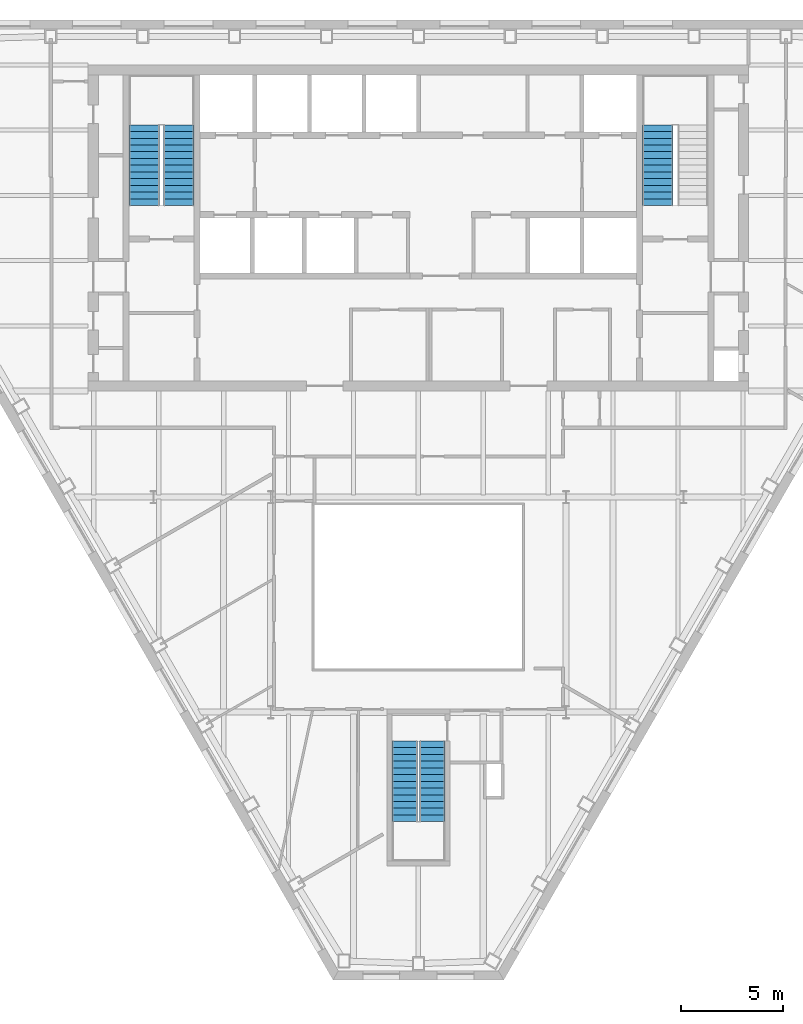
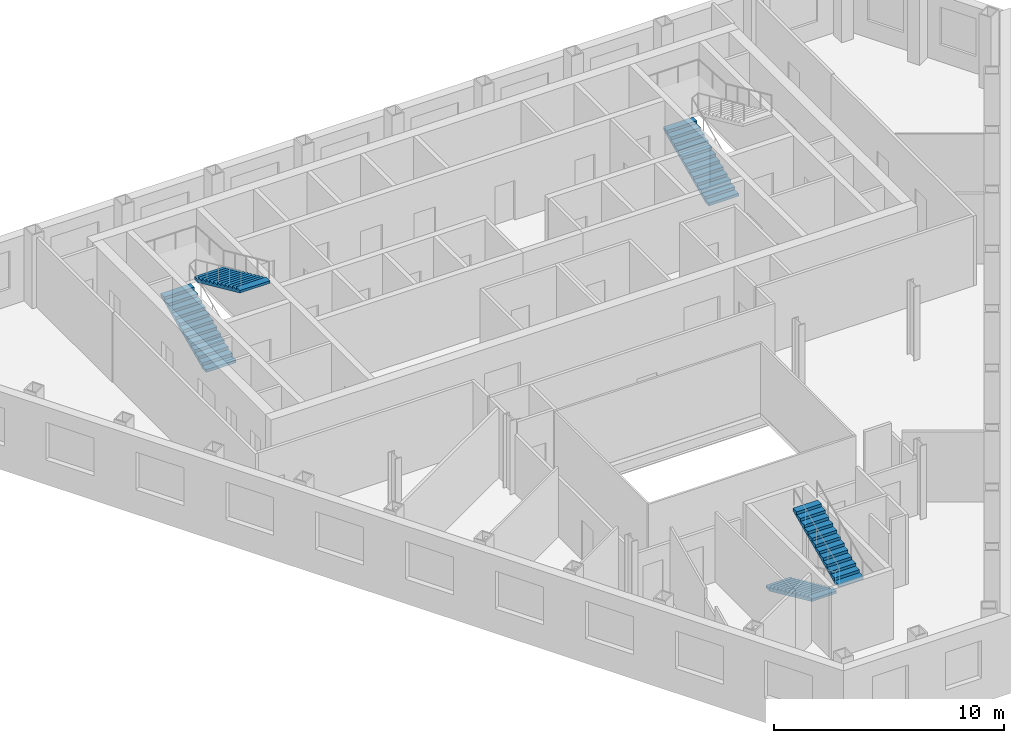
# One storey, part 8 of 10: 5 stair flights, 3 elements without a shape of their own.
"""IFC4 building model written with IfcOpenShell, lengths in metres."""

from ifc_helpers import new_model, si_unit, direction, frame, origin, place, context, subcontext, project, spatial, polygons, material, type_object, element, aggregate, save


model = new_model("IFC4")

# Units and contexts
model_context = context("Model", 3, precision=1e-05, world=origin(), true_north=direction((0.0, 1.0)))
body_context = subcontext(model_context, "Body", "Model", "MODEL_VIEW")
ifc_project = project(units=[si_unit("LENGTHUNIT", "METRE"), si_unit("AREAUNIT", "SQUARE_METRE"), si_unit("VOLUMEUNIT", "CUBIC_METRE"), si_unit("PLANEANGLEUNIT", "RADIAN"), si_unit("MASSUNIT", "GRAM", prefix="KILO")], contexts=[model_context])

# Site, building, storey
site_placement = place(None, origin())
site = spatial("IfcSite", under=ifc_project, at=site_placement, CompositionType="ELEMENT")
building_placement = place(site_placement, origin())
building = spatial("IfcBuilding", under=site, at=building_placement, Name="Njiva Tower", CompositionType="ELEMENT")
storey_placement = place(building_placement, frame((0.0, 0.0, 171.0)))
storey = spatial("IfcBuildingStorey", under=building, at=storey_placement, Name="L37", CompositionType="ELEMENT", Elevation=171.0)

# Stair, stair flights
ifc_material = material(Name="Concrete C40/50", Category="concrete")
stair_type_1 = type_object("IfcStairType", Name="ST1 Exit stair 1250", PredefinedType="HALF_TURN_STAIR", material=ifc_material)
stair_1_placement = place(storey_placement, origin())
stair_1 = element("IfcStair", 1, at=stair_1_placement, inside=storey, type_object=stair_type_1, Name="Stair C", PredefinedType="HALF_TURN_STAIR")
stair_flight_type_1 = type_object("IfcStairFlightType", Name="FL1 Stair flight 1250", PredefinedType="STRAIGHT", material=ifc_material)
stair_flight_1_placement = place(storey_placement, frame((-0.675, -15.16, 0.0), z_axis=(0.0, 0.0, 1.0), x_axis=(0.0, -1.0, 0.0)))
stair_flight_1 = element("IfcStairFlight", 2, at=stair_flight_1_placement, type_object=stair_flight_type_1, Name="ST-C flight 1", NumberOfRisers=13, NumberOfTreads=12, PredefinedType="STRAIGHT", RiserHeight=0.15, TreadLength=0.33, context=body_context, shape_type="Tessellation", body=[
    polygons([(0.0, 0.625, 0.0), (0.0, 0.3125, 0.0), (0.0, 0.0, 0.0), (0.0, -0.3125, 0.0), (0.0, -0.625, 0.0), (0.0, 0.625, 0.15), (0.0, 0.3125, 0.15), (0.0, 0.0, 0.15), (0.0, -0.3125, 0.15), (0.0, -0.625, 0.15), (0.33, 0.625, 0.15), (0.33, 0.3125, 0.15), (0.33, 0.0, 0.15), (0.33, -0.3125, 0.15), (0.33, -0.625, 0.15), (0.33, 0.625, 0.3), (0.33, 0.3125, 0.3), (0.33, 0.0, 0.3), (0.33, -0.3125, 0.3), (0.33, -0.625, 0.3), (0.66, 0.625, 0.3), (0.66, 0.3125, 0.3), (0.66, 0.0, 0.3), (0.66, -0.3125, 0.3), (0.66, -0.625, 0.3), (0.66, 0.625, 0.45), (0.66, 0.3125, 0.45), (0.66, 0.0, 0.45), (0.66, -0.3125, 0.45), (0.66, -0.625, 0.45), (0.99, 0.625, 0.45), (0.99, 0.3125, 0.45), (0.99, 0.0, 0.45), (0.99, -0.3125, 0.45), (0.99, -0.625, 0.45), (0.99, 0.625, 0.6), (0.99, 0.3125, 0.6), (0.99, 0.0, 0.6), (0.99, -0.3125, 0.6), (0.99, -0.625, 0.6), (1.32, 0.625, 0.6), (1.32, 0.3125, 0.6), (1.32, 0.0, 0.6), (1.32, -0.3125, 0.6), (1.32, -0.625, 0.6), (1.32, 0.625, 0.75), (1.32, 0.3125, 0.75), (1.32, 0.0, 0.75), (1.32, -0.3125, 0.75), (1.32, -0.625, 0.75), (1.65, 0.625, 0.75), (1.65, 0.3125, 0.75), (1.65, 0.0, 0.75), (1.65, -0.3125, 0.75), (1.65, -0.625, 0.75), (1.65, 0.625, 0.9), (1.65, 0.3125, 0.9), (1.65, 0.0, 0.9), (1.65, -0.3125, 0.9), (1.65, -0.625, 0.9), (1.98, 0.625, 0.9), (1.98, 0.3125, 0.9), (1.98, 0.0, 0.9), (1.98, -0.3125, 0.9), (1.98, -0.625, 0.9), (1.98, 0.625, 1.05), (1.98, 0.3125, 1.05), (1.98, 0.0, 1.05), (1.98, -0.3125, 1.05), (1.98, -0.625, 1.05), (2.31, 0.625, 1.05), (2.31, 0.3125, 1.05), (2.31, 0.0, 1.05), (2.31, -0.3125, 1.05), (2.31, -0.625, 1.05), (2.31, 0.625, 1.2), (2.31, 0.3125, 1.2), (2.31, 0.0, 1.2), (2.31, -0.3125, 1.2), (2.31, -0.625, 1.2), (2.64, 0.625, 1.2), (2.64, 0.3125, 1.2), (2.64, 0.0, 1.2), (2.64, -0.3125, 1.2), (2.64, -0.625, 1.2), (2.64, 0.625, 1.35), (2.64, 0.3125, 1.35), (2.64, 0.0, 1.35), (2.64, -0.3125, 1.35), (2.64, -0.625, 1.35), (2.97, 0.625, 1.35), (2.97, 0.3125, 1.35), (2.97, 0.0, 1.35), (2.97, -0.3125, 1.35), (2.97, -0.625, 1.35), (2.97, 0.625, 1.5), (2.97, 0.3125, 1.5), (2.97, 0.0, 1.5), (2.97, -0.3125, 1.5), (2.97, -0.625, 1.5), (3.3, 0.625, 1.5), (3.3, 0.3125, 1.5), (3.3, 0.0, 1.5), (3.3, -0.3125, 1.5), (3.3, -0.625, 1.5), (3.3, 0.625, 1.65), (3.3, 0.3125, 1.65), (3.3, 0.0, 1.65), (3.3, -0.3125, 1.65), (3.3, -0.625, 1.65), (3.63, 0.625, 1.65), (3.63, 0.3125, 1.65), (3.63, 0.0, 1.65), (3.63, -0.3125, 1.65), (3.63, -0.625, 1.65), (3.63, 0.625, 1.8), (3.63, 0.3125, 1.8), (3.63, 0.0, 1.8), (3.63, -0.3125, 1.8), (3.63, -0.625, 1.8), (3.96, 0.625, 1.8), (3.96, 0.3125, 1.8), (3.96, 0.0, 1.8), (3.96, -0.3125, 1.8), (3.96, -0.625, 1.8), (3.96, 0.625, 1.6682), (3.96, 0.3125, 1.6682), (3.96, 0.0, 1.6682), (3.96, -0.3125, 1.6682), (3.96, -0.625, 1.6682), (0.29, 0.625, 0.0), (0.29, 0.3125, 0.0), (0.29, 0.0, 0.0), (0.29, -0.3125, 0.0), (0.29, -0.625, 0.0)], [[[1, 6, 11, 16, 21, 26, 31, 36, 41, 46, 51, 56, 61, 66, 71, 76, 81, 86, 91, 96, 101, 106, 111, 116, 121, 126, 131]], [[135, 130, 125, 120, 115, 110, 105, 100, 95, 90, 85, 80, 75, 70, 65, 60, 55, 50, 45, 40, 35, 30, 25, 20, 15, 10, 5]], [[6, 1, 2, 7]], [[7, 2, 3, 8]], [[8, 3, 4, 9]], [[9, 4, 5, 10]], [[11, 6, 7, 12]], [[12, 7, 8, 13]], [[13, 8, 9, 14]], [[14, 9, 10, 15]], [[16, 11, 12, 17]], [[17, 12, 13, 18]], [[18, 13, 14, 19]], [[19, 14, 15, 20]], [[21, 16, 17, 22]], [[22, 17, 18, 23]], [[23, 18, 19, 24]], [[24, 19, 20, 25]], [[26, 21, 22, 27]], [[27, 22, 23, 28]], [[28, 23, 24, 29]], [[29, 24, 25, 30]], [[31, 26, 27, 32]], [[32, 27, 28, 33]], [[33, 28, 29, 34]], [[34, 29, 30, 35]], [[36, 31, 32, 37]], [[37, 32, 33, 38]], [[38, 33, 34, 39]], [[39, 34, 35, 40]], [[41, 36, 37, 42]], [[42, 37, 38, 43]], [[43, 38, 39, 44]], [[44, 39, 40, 45]], [[46, 41, 42, 47]], [[47, 42, 43, 48]], [[48, 43, 44, 49]], [[49, 44, 45, 50]], [[51, 46, 47, 52]], [[52, 47, 48, 53]], [[53, 48, 49, 54]], [[54, 49, 50, 55]], [[56, 51, 52, 57]], [[57, 52, 53, 58]], [[58, 53, 54, 59]], [[59, 54, 55, 60]], [[61, 56, 57, 62]], [[62, 57, 58, 63]], [[63, 58, 59, 64]], [[64, 59, 60, 65]], [[66, 61, 62, 67]], [[67, 62, 63, 68]], [[68, 63, 64, 69]], [[69, 64, 65, 70]], [[71, 66, 67, 72]], [[72, 67, 68, 73]], [[73, 68, 69, 74]], [[74, 69, 70, 75]], [[76, 71, 72, 77]], [[77, 72, 73, 78]], [[78, 73, 74, 79]], [[79, 74, 75, 80]], [[81, 76, 77, 82]], [[82, 77, 78, 83]], [[83, 78, 79, 84]], [[84, 79, 80, 85]], [[86, 81, 82, 87]], [[87, 82, 83, 88]], [[88, 83, 84, 89]], [[89, 84, 85, 90]], [[91, 86, 87, 92]], [[92, 87, 88, 93]], [[93, 88, 89, 94]], [[94, 89, 90, 95]], [[96, 91, 92, 97]], [[97, 92, 93, 98]], [[98, 93, 94, 99]], [[99, 94, 95, 100]], [[101, 96, 97, 102]], [[102, 97, 98, 103]], [[103, 98, 99, 104]], [[104, 99, 100, 105]], [[106, 101, 102, 107]], [[107, 102, 103, 108]], [[108, 103, 104, 109]], [[109, 104, 105, 110]], [[111, 106, 107, 112]], [[112, 107, 108, 113]], [[113, 108, 109, 114]], [[114, 109, 110, 115]], [[116, 111, 112, 117]], [[117, 112, 113, 118]], [[118, 113, 114, 119]], [[119, 114, 115, 120]], [[121, 116, 117, 122]], [[122, 117, 118, 123]], [[123, 118, 119, 124]], [[124, 119, 120, 125]], [[126, 121, 122, 127]], [[127, 122, 123, 128]], [[128, 123, 124, 129]], [[129, 124, 125, 130]], [[131, 126, 127, 132]], [[132, 127, 128, 133]], [[133, 128, 129, 134]], [[134, 129, 130, 135]], [[1, 131, 132, 2]], [[2, 132, 133, 3]], [[3, 133, 134, 4]], [[4, 134, 135, 5]]], closed=True),
])
stair_flight_2_placement = place(storey_placement, frame((0.675, -19.12, 1.95), z_axis=(0.0, 0.0, 1.0), x_axis=(0.0, 1.0, 0.0)))
stair_flight_2 = element("IfcStairFlight", 3, at=stair_flight_2_placement, type_object=stair_flight_type_1, Name="ST-C flight 2", NumberOfRisers=13, NumberOfTreads=12, PredefinedType="STRAIGHT", RiserHeight=0.15, TreadLength=0.33, context=body_context, shape_type="Tessellation", body=[
    polygons([(0.0, 0.625, 0.0), (0.0, 0.3125, 0.0), (0.0, 0.0, 0.0), (0.0, -0.3125, 0.0), (0.0, -0.625, 0.0), (0.0, 0.625, 0.15), (0.0, 0.3125, 0.15), (0.0, 0.0, 0.15), (0.0, -0.3125, 0.15), (0.0, -0.625, 0.15), (0.33, 0.625, 0.15), (0.33, 0.3125, 0.15), (0.33, 0.0, 0.15), (0.33, -0.3125, 0.15), (0.33, -0.625, 0.15), (0.33, 0.625, 0.3), (0.33, 0.3125, 0.3), (0.33, 0.0, 0.3), (0.33, -0.3125, 0.3), (0.33, -0.625, 0.3), (0.66, 0.625, 0.3), (0.66, 0.3125, 0.3), (0.66, 0.0, 0.3), (0.66, -0.3125, 0.3), (0.66, -0.625, 0.3), (0.66, 0.625, 0.45), (0.66, 0.3125, 0.45), (0.66, 0.0, 0.45), (0.66, -0.3125, 0.45), (0.66, -0.625, 0.45), (0.99, 0.625, 0.45), (0.99, 0.3125, 0.45), (0.99, 0.0, 0.45), (0.99, -0.3125, 0.45), (0.99, -0.625, 0.45), (0.99, 0.625, 0.6), (0.99, 0.3125, 0.6), (0.99, 0.0, 0.6), (0.99, -0.3125, 0.6), (0.99, -0.625, 0.6), (1.32, 0.625, 0.6), (1.32, 0.3125, 0.6), (1.32, 0.0, 0.6), (1.32, -0.3125, 0.6), (1.32, -0.625, 0.6), (1.32, 0.625, 0.75), (1.32, 0.3125, 0.75), (1.32, 0.0, 0.75), (1.32, -0.3125, 0.75), (1.32, -0.625, 0.75), (1.65, 0.625, 0.75), (1.65, 0.3125, 0.75), (1.65, 0.0, 0.75), (1.65, -0.3125, 0.75), (1.65, -0.625, 0.75), (1.65, 0.625, 0.9), (1.65, 0.3125, 0.9), (1.65, 0.0, 0.9), (1.65, -0.3125, 0.9), (1.65, -0.625, 0.9), (1.98, 0.625, 0.9), (1.98, 0.3125, 0.9), (1.98, 0.0, 0.9), (1.98, -0.3125, 0.9), (1.98, -0.625, 0.9), (1.98, 0.625, 1.05), (1.98, 0.3125, 1.05), (1.98, 0.0, 1.05), (1.98, -0.3125, 1.05), (1.98, -0.625, 1.05), (2.31, 0.625, 1.05), (2.31, 0.3125, 1.05), (2.31, 0.0, 1.05), (2.31, -0.3125, 1.05), (2.31, -0.625, 1.05), (2.31, 0.625, 1.2), (2.31, 0.3125, 1.2), (2.31, 0.0, 1.2), (2.31, -0.3125, 1.2), (2.31, -0.625, 1.2), (2.64, 0.625, 1.2), (2.64, 0.3125, 1.2), (2.64, 0.0, 1.2), (2.64, -0.3125, 1.2), (2.64, -0.625, 1.2), (2.64, 0.625, 1.35), (2.64, 0.3125, 1.35), (2.64, 0.0, 1.35), (2.64, -0.3125, 1.35), (2.64, -0.625, 1.35), (2.97, 0.625, 1.35), (2.97, 0.3125, 1.35), (2.97, 0.0, 1.35), (2.97, -0.3125, 1.35), (2.97, -0.625, 1.35), (2.97, 0.625, 1.5), (2.97, 0.3125, 1.5), (2.97, 0.0, 1.5), (2.97, -0.3125, 1.5), (2.97, -0.625, 1.5), (3.3, 0.625, 1.5), (3.3, 0.3125, 1.5), (3.3, 0.0, 1.5), (3.3, -0.3125, 1.5), (3.3, -0.625, 1.5), (3.3, 0.625, 1.65), (3.3, 0.3125, 1.65), (3.3, 0.0, 1.65), (3.3, -0.3125, 1.65), (3.3, -0.625, 1.65), (3.63, 0.625, 1.65), (3.63, 0.3125, 1.65), (3.63, 0.0, 1.65), (3.63, -0.3125, 1.65), (3.63, -0.625, 1.65), (3.63, 0.625, 1.8), (3.63, 0.3125, 1.8), (3.63, 0.0, 1.8), (3.63, -0.3125, 1.8), (3.63, -0.625, 1.8), (3.96, 0.625, 1.8), (3.96, 0.3125, 1.8), (3.96, 0.0, 1.8), (3.96, -0.3125, 1.8), (3.96, -0.625, 1.8), (3.96, 0.625, 1.6682), (3.96, 0.3125, 1.6682), (3.96, 0.0, 1.6682), (3.96, -0.3125, 1.6682), (3.96, -0.625, 1.6682), (0.29, 0.625, 0.0), (0.29, 0.3125, 0.0), (0.29, 0.0, 0.0), (0.29, -0.3125, 0.0), (0.29, -0.625, 0.0)], [[[1, 6, 11, 16, 21, 26, 31, 36, 41, 46, 51, 56, 61, 66, 71, 76, 81, 86, 91, 96, 101, 106, 111, 116, 121, 126, 131]], [[135, 130, 125, 120, 115, 110, 105, 100, 95, 90, 85, 80, 75, 70, 65, 60, 55, 50, 45, 40, 35, 30, 25, 20, 15, 10, 5]], [[6, 1, 2, 7]], [[7, 2, 3, 8]], [[8, 3, 4, 9]], [[9, 4, 5, 10]], [[11, 6, 7, 12]], [[12, 7, 8, 13]], [[13, 8, 9, 14]], [[14, 9, 10, 15]], [[16, 11, 12, 17]], [[17, 12, 13, 18]], [[18, 13, 14, 19]], [[19, 14, 15, 20]], [[21, 16, 17, 22]], [[22, 17, 18, 23]], [[23, 18, 19, 24]], [[24, 19, 20, 25]], [[26, 21, 22, 27]], [[27, 22, 23, 28]], [[28, 23, 24, 29]], [[29, 24, 25, 30]], [[31, 26, 27, 32]], [[32, 27, 28, 33]], [[33, 28, 29, 34]], [[34, 29, 30, 35]], [[36, 31, 32, 37]], [[37, 32, 33, 38]], [[38, 33, 34, 39]], [[39, 34, 35, 40]], [[41, 36, 37, 42]], [[42, 37, 38, 43]], [[43, 38, 39, 44]], [[44, 39, 40, 45]], [[46, 41, 42, 47]], [[47, 42, 43, 48]], [[48, 43, 44, 49]], [[49, 44, 45, 50]], [[51, 46, 47, 52]], [[52, 47, 48, 53]], [[53, 48, 49, 54]], [[54, 49, 50, 55]], [[56, 51, 52, 57]], [[57, 52, 53, 58]], [[58, 53, 54, 59]], [[59, 54, 55, 60]], [[61, 56, 57, 62]], [[62, 57, 58, 63]], [[63, 58, 59, 64]], [[64, 59, 60, 65]], [[66, 61, 62, 67]], [[67, 62, 63, 68]], [[68, 63, 64, 69]], [[69, 64, 65, 70]], [[71, 66, 67, 72]], [[72, 67, 68, 73]], [[73, 68, 69, 74]], [[74, 69, 70, 75]], [[76, 71, 72, 77]], [[77, 72, 73, 78]], [[78, 73, 74, 79]], [[79, 74, 75, 80]], [[81, 76, 77, 82]], [[82, 77, 78, 83]], [[83, 78, 79, 84]], [[84, 79, 80, 85]], [[86, 81, 82, 87]], [[87, 82, 83, 88]], [[88, 83, 84, 89]], [[89, 84, 85, 90]], [[91, 86, 87, 92]], [[92, 87, 88, 93]], [[93, 88, 89, 94]], [[94, 89, 90, 95]], [[96, 91, 92, 97]], [[97, 92, 93, 98]], [[98, 93, 94, 99]], [[99, 94, 95, 100]], [[101, 96, 97, 102]], [[102, 97, 98, 103]], [[103, 98, 99, 104]], [[104, 99, 100, 105]], [[106, 101, 102, 107]], [[107, 102, 103, 108]], [[108, 103, 104, 109]], [[109, 104, 105, 110]], [[111, 106, 107, 112]], [[112, 107, 108, 113]], [[113, 108, 109, 114]], [[114, 109, 110, 115]], [[116, 111, 112, 117]], [[117, 112, 113, 118]], [[118, 113, 114, 119]], [[119, 114, 115, 120]], [[121, 116, 117, 122]], [[122, 117, 118, 123]], [[123, 118, 119, 124]], [[124, 119, 120, 125]], [[126, 121, 122, 127]], [[127, 122, 123, 128]], [[128, 123, 124, 129]], [[129, 124, 125, 130]], [[131, 126, 127, 132]], [[132, 127, 128, 133]], [[133, 128, 129, 134]], [[134, 129, 130, 135]], [[1, 131, 132, 2]], [[2, 132, 133, 3]], [[3, 133, 134, 4]], [[4, 134, 135, 5]]], closed=True),
])
aggregate(stair_1, [stair_flight_1, stair_flight_2])

stair_type_2 = type_object("IfcStairType", Name="ST4 Exit stair 1500", PredefinedType="HALF_TURN_STAIR", material=ifc_material)
stair_2_placement = place(storey_placement, origin())
stair_2 = element("IfcStair", 4, at=stair_2_placement, inside=storey, type_object=stair_type_2, Name="Stair A", PredefinedType="HALF_TURN_STAIR")
stair_flight_type_2 = type_object("IfcStairFlightType", Name="FL4 Stair flight 1500", PredefinedType="STRAIGHT", material=ifc_material)
stair_flight_3_placement = place(storey_placement, frame((-13.45, 11.1, 0.0), z_axis=(0.0, 0.0, 1.0), x_axis=(0.0, 1.0, 0.0)))
stair_flight_3 = element("IfcStairFlight", 5, at=stair_flight_3_placement, type_object=stair_flight_type_2, Name="ST-A flight 1", NumberOfRisers=13, NumberOfTreads=12, PredefinedType="STRAIGHT", RiserHeight=0.15, TreadLength=0.33, context=body_context, shape_type="Tessellation", body=[
    polygons([(0.0, 0.75, 0.0), (0.0, 0.375, 0.0), (0.0, 0.0, 0.0), (0.0, -0.375, 0.0), (0.0, -0.75, 0.0), (0.0, 0.75, 0.15), (0.0, 0.375, 0.15), (0.0, 0.0, 0.15), (0.0, -0.375, 0.15), (0.0, -0.75, 0.15), (0.33, 0.75, 0.15), (0.33, 0.375, 0.15), (0.33, 0.0, 0.15), (0.33, -0.375, 0.15), (0.33, -0.75, 0.15), (0.33, 0.75, 0.3), (0.33, 0.375, 0.3), (0.33, 0.0, 0.3), (0.33, -0.375, 0.3), (0.33, -0.75, 0.3), (0.66, 0.75, 0.3), (0.66, 0.375, 0.3), (0.66, 0.0, 0.3), (0.66, -0.375, 0.3), (0.66, -0.75, 0.3), (0.66, 0.75, 0.45), (0.66, 0.375, 0.45), (0.66, 0.0, 0.45), (0.66, -0.375, 0.45), (0.66, -0.75, 0.45), (0.99, 0.75, 0.45), (0.99, 0.375, 0.45), (0.99, 0.0, 0.45), (0.99, -0.375, 0.45), (0.99, -0.75, 0.45), (0.99, 0.75, 0.6), (0.99, 0.375, 0.6), (0.99, 0.0, 0.6), (0.99, -0.375, 0.6), (0.99, -0.75, 0.6), (1.32, 0.75, 0.6), (1.32, 0.375, 0.6), (1.32, 0.0, 0.6), (1.32, -0.375, 0.6), (1.32, -0.75, 0.6), (1.32, 0.75, 0.75), (1.32, 0.375, 0.75), (1.32, 0.0, 0.75), (1.32, -0.375, 0.75), (1.32, -0.75, 0.75), (1.65, 0.75, 0.75), (1.65, 0.375, 0.75), (1.65, 0.0, 0.75), (1.65, -0.375, 0.75), (1.65, -0.75, 0.75), (1.65, 0.75, 0.9), (1.65, 0.375, 0.9), (1.65, 0.0, 0.9), (1.65, -0.375, 0.9), (1.65, -0.75, 0.9), (1.98, 0.75, 0.9), (1.98, 0.375, 0.9), (1.98, 0.0, 0.9), (1.98, -0.375, 0.9), (1.98, -0.75, 0.9), (1.98, 0.75, 1.05), (1.98, 0.375, 1.05), (1.98, 0.0, 1.05), (1.98, -0.375, 1.05), (1.98, -0.75, 1.05), (2.31, 0.75, 1.05), (2.31, 0.375, 1.05), (2.31, 0.0, 1.05), (2.31, -0.375, 1.05), (2.31, -0.75, 1.05), (2.31, 0.75, 1.2), (2.31, 0.375, 1.2), (2.31, 0.0, 1.2), (2.31, -0.375, 1.2), (2.31, -0.75, 1.2), (2.64, 0.75, 1.2), (2.64, 0.375, 1.2), (2.64, 0.0, 1.2), (2.64, -0.375, 1.2), (2.64, -0.75, 1.2), (2.64, 0.75, 1.35), (2.64, 0.375, 1.35), (2.64, 0.0, 1.35), (2.64, -0.375, 1.35), (2.64, -0.75, 1.35), (2.97, 0.75, 1.35), (2.97, 0.375, 1.35), (2.97, 0.0, 1.35), (2.97, -0.375, 1.35), (2.97, -0.75, 1.35), (2.97, 0.75, 1.5), (2.97, 0.375, 1.5), (2.97, 0.0, 1.5), (2.97, -0.375, 1.5), (2.97, -0.75, 1.5), (3.3, 0.75, 1.5), (3.3, 0.375, 1.5), (3.3, 0.0, 1.5), (3.3, -0.375, 1.5), (3.3, -0.75, 1.5), (3.3, 0.75, 1.65), (3.3, 0.375, 1.65), (3.3, 0.0, 1.65), (3.3, -0.375, 1.65), (3.3, -0.75, 1.65), (3.63, 0.75, 1.65), (3.63, 0.375, 1.65), (3.63, 0.0, 1.65), (3.63, -0.375, 1.65), (3.63, -0.75, 1.65), (3.63, 0.75, 1.8), (3.63, 0.375, 1.8), (3.63, 0.0, 1.8), (3.63, -0.375, 1.8), (3.63, -0.75, 1.8), (3.96, 0.75, 1.8), (3.96, 0.375, 1.8), (3.96, 0.0, 1.8), (3.96, -0.375, 1.8), (3.96, -0.75, 1.8), (3.96, 0.75, 1.6682), (3.96, 0.375, 1.6682), (3.96, 0.0, 1.6682), (3.96, -0.375, 1.6682), (3.96, -0.75, 1.6682), (0.29, 0.75, 0.0), (0.29, 0.375, 0.0), (0.29, 0.0, 0.0), (0.29, -0.375, 0.0), (0.29, -0.75, 0.0)], [[[1, 6, 11, 16, 21, 26, 31, 36, 41, 46, 51, 56, 61, 66, 71, 76, 81, 86, 91, 96, 101, 106, 111, 116, 121, 126, 131]], [[135, 130, 125, 120, 115, 110, 105, 100, 95, 90, 85, 80, 75, 70, 65, 60, 55, 50, 45, 40, 35, 30, 25, 20, 15, 10, 5]], [[6, 1, 2, 7]], [[7, 2, 3, 8]], [[8, 3, 4, 9]], [[9, 4, 5, 10]], [[11, 6, 7, 12]], [[12, 7, 8, 13]], [[13, 8, 9, 14]], [[14, 9, 10, 15]], [[16, 11, 12, 17]], [[17, 12, 13, 18]], [[18, 13, 14, 19]], [[19, 14, 15, 20]], [[21, 16, 17, 22]], [[22, 17, 18, 23]], [[23, 18, 19, 24]], [[24, 19, 20, 25]], [[26, 21, 22, 27]], [[27, 22, 23, 28]], [[28, 23, 24, 29]], [[29, 24, 25, 30]], [[31, 26, 27, 32]], [[32, 27, 28, 33]], [[33, 28, 29, 34]], [[34, 29, 30, 35]], [[36, 31, 32, 37]], [[37, 32, 33, 38]], [[38, 33, 34, 39]], [[39, 34, 35, 40]], [[41, 36, 37, 42]], [[42, 37, 38, 43]], [[43, 38, 39, 44]], [[44, 39, 40, 45]], [[46, 41, 42, 47]], [[47, 42, 43, 48]], [[48, 43, 44, 49]], [[49, 44, 45, 50]], [[51, 46, 47, 52]], [[52, 47, 48, 53]], [[53, 48, 49, 54]], [[54, 49, 50, 55]], [[56, 51, 52, 57]], [[57, 52, 53, 58]], [[58, 53, 54, 59]], [[59, 54, 55, 60]], [[61, 56, 57, 62]], [[62, 57, 58, 63]], [[63, 58, 59, 64]], [[64, 59, 60, 65]], [[66, 61, 62, 67]], [[67, 62, 63, 68]], [[68, 63, 64, 69]], [[69, 64, 65, 70]], [[71, 66, 67, 72]], [[72, 67, 68, 73]], [[73, 68, 69, 74]], [[74, 69, 70, 75]], [[76, 71, 72, 77]], [[77, 72, 73, 78]], [[78, 73, 74, 79]], [[79, 74, 75, 80]], [[81, 76, 77, 82]], [[82, 77, 78, 83]], [[83, 78, 79, 84]], [[84, 79, 80, 85]], [[86, 81, 82, 87]], [[87, 82, 83, 88]], [[88, 83, 84, 89]], [[89, 84, 85, 90]], [[91, 86, 87, 92]], [[92, 87, 88, 93]], [[93, 88, 89, 94]], [[94, 89, 90, 95]], [[96, 91, 92, 97]], [[97, 92, 93, 98]], [[98, 93, 94, 99]], [[99, 94, 95, 100]], [[101, 96, 97, 102]], [[102, 97, 98, 103]], [[103, 98, 99, 104]], [[104, 99, 100, 105]], [[106, 101, 102, 107]], [[107, 102, 103, 108]], [[108, 103, 104, 109]], [[109, 104, 105, 110]], [[111, 106, 107, 112]], [[112, 107, 108, 113]], [[113, 108, 109, 114]], [[114, 109, 110, 115]], [[116, 111, 112, 117]], [[117, 112, 113, 118]], [[118, 113, 114, 119]], [[119, 114, 115, 120]], [[121, 116, 117, 122]], [[122, 117, 118, 123]], [[123, 118, 119, 124]], [[124, 119, 120, 125]], [[126, 121, 122, 127]], [[127, 122, 123, 128]], [[128, 123, 124, 129]], [[129, 124, 125, 130]], [[131, 126, 127, 132]], [[132, 127, 128, 133]], [[133, 128, 129, 134]], [[134, 129, 130, 135]], [[1, 131, 132, 2]], [[2, 132, 133, 3]], [[3, 133, 134, 4]], [[4, 134, 135, 5]]], closed=True),
])
stair_flight_4_placement = place(storey_placement, frame((-11.75, 15.06, 1.95), z_axis=(0.0, 0.0, 1.0), x_axis=(0.0, -1.0, 0.0)))
stair_flight_4 = element("IfcStairFlight", 6, at=stair_flight_4_placement, type_object=stair_flight_type_2, Name="ST-A flight 2", NumberOfRisers=13, NumberOfTreads=12, PredefinedType="STRAIGHT", RiserHeight=0.15, TreadLength=0.33, context=body_context, shape_type="Tessellation", body=[
    polygons([(0.0, 0.75, 0.0), (0.0, 0.375, 0.0), (0.0, 0.0, 0.0), (0.0, -0.375, 0.0), (0.0, -0.75, 0.0), (0.0, 0.75, 0.15), (0.0, 0.375, 0.15), (0.0, 0.0, 0.15), (0.0, -0.375, 0.15), (0.0, -0.75, 0.15), (0.33, 0.75, 0.15), (0.33, 0.375, 0.15), (0.33, 0.0, 0.15), (0.33, -0.375, 0.15), (0.33, -0.75, 0.15), (0.33, 0.75, 0.3), (0.33, 0.375, 0.3), (0.33, 0.0, 0.3), (0.33, -0.375, 0.3), (0.33, -0.75, 0.3), (0.66, 0.75, 0.3), (0.66, 0.375, 0.3), (0.66, 0.0, 0.3), (0.66, -0.375, 0.3), (0.66, -0.75, 0.3), (0.66, 0.75, 0.45), (0.66, 0.375, 0.45), (0.66, 0.0, 0.45), (0.66, -0.375, 0.45), (0.66, -0.75, 0.45), (0.99, 0.75, 0.45), (0.99, 0.375, 0.45), (0.99, 0.0, 0.45), (0.99, -0.375, 0.45), (0.99, -0.75, 0.45), (0.99, 0.75, 0.6), (0.99, 0.375, 0.6), (0.99, 0.0, 0.6), (0.99, -0.375, 0.6), (0.99, -0.75, 0.6), (1.32, 0.75, 0.6), (1.32, 0.375, 0.6), (1.32, 0.0, 0.6), (1.32, -0.375, 0.6), (1.32, -0.75, 0.6), (1.32, 0.75, 0.75), (1.32, 0.375, 0.75), (1.32, 0.0, 0.75), (1.32, -0.375, 0.75), (1.32, -0.75, 0.75), (1.65, 0.75, 0.75), (1.65, 0.375, 0.75), (1.65, 0.0, 0.75), (1.65, -0.375, 0.75), (1.65, -0.75, 0.75), (1.65, 0.75, 0.9), (1.65, 0.375, 0.9), (1.65, 0.0, 0.9), (1.65, -0.375, 0.9), (1.65, -0.75, 0.9), (1.98, 0.75, 0.9), (1.98, 0.375, 0.9), (1.98, 0.0, 0.9), (1.98, -0.375, 0.9), (1.98, -0.75, 0.9), (1.98, 0.75, 1.05), (1.98, 0.375, 1.05), (1.98, 0.0, 1.05), (1.98, -0.375, 1.05), (1.98, -0.75, 1.05), (2.31, 0.75, 1.05), (2.31, 0.375, 1.05), (2.31, 0.0, 1.05), (2.31, -0.375, 1.05), (2.31, -0.75, 1.05), (2.31, 0.75, 1.2), (2.31, 0.375, 1.2), (2.31, 0.0, 1.2), (2.31, -0.375, 1.2), (2.31, -0.75, 1.2), (2.64, 0.75, 1.2), (2.64, 0.375, 1.2), (2.64, 0.0, 1.2), (2.64, -0.375, 1.2), (2.64, -0.75, 1.2), (2.64, 0.75, 1.35), (2.64, 0.375, 1.35), (2.64, 0.0, 1.35), (2.64, -0.375, 1.35), (2.64, -0.75, 1.35), (2.97, 0.75, 1.35), (2.97, 0.375, 1.35), (2.97, 0.0, 1.35), (2.97, -0.375, 1.35), (2.97, -0.75, 1.35), (2.97, 0.75, 1.5), (2.97, 0.375, 1.5), (2.97, 0.0, 1.5), (2.97, -0.375, 1.5), (2.97, -0.75, 1.5), (3.3, 0.75, 1.5), (3.3, 0.375, 1.5), (3.3, 0.0, 1.5), (3.3, -0.375, 1.5), (3.3, -0.75, 1.5), (3.3, 0.75, 1.65), (3.3, 0.375, 1.65), (3.3, 0.0, 1.65), (3.3, -0.375, 1.65), (3.3, -0.75, 1.65), (3.63, 0.75, 1.65), (3.63, 0.375, 1.65), (3.63, 0.0, 1.65), (3.63, -0.375, 1.65), (3.63, -0.75, 1.65), (3.63, 0.75, 1.8), (3.63, 0.375, 1.8), (3.63, 0.0, 1.8), (3.63, -0.375, 1.8), (3.63, -0.75, 1.8), (3.96, 0.75, 1.8), (3.96, 0.375, 1.8), (3.96, 0.0, 1.8), (3.96, -0.375, 1.8), (3.96, -0.75, 1.8), (3.96, 0.75, 1.6682), (3.96, 0.375, 1.6682), (3.96, 0.0, 1.6682), (3.96, -0.375, 1.6682), (3.96, -0.75, 1.6682), (0.29, 0.75, 0.0), (0.29, 0.375, 0.0), (0.29, 0.0, 0.0), (0.29, -0.375, 0.0), (0.29, -0.75, 0.0)], [[[1, 6, 11, 16, 21, 26, 31, 36, 41, 46, 51, 56, 61, 66, 71, 76, 81, 86, 91, 96, 101, 106, 111, 116, 121, 126, 131]], [[135, 130, 125, 120, 115, 110, 105, 100, 95, 90, 85, 80, 75, 70, 65, 60, 55, 50, 45, 40, 35, 30, 25, 20, 15, 10, 5]], [[6, 1, 2, 7]], [[7, 2, 3, 8]], [[8, 3, 4, 9]], [[9, 4, 5, 10]], [[11, 6, 7, 12]], [[12, 7, 8, 13]], [[13, 8, 9, 14]], [[14, 9, 10, 15]], [[16, 11, 12, 17]], [[17, 12, 13, 18]], [[18, 13, 14, 19]], [[19, 14, 15, 20]], [[21, 16, 17, 22]], [[22, 17, 18, 23]], [[23, 18, 19, 24]], [[24, 19, 20, 25]], [[26, 21, 22, 27]], [[27, 22, 23, 28]], [[28, 23, 24, 29]], [[29, 24, 25, 30]], [[31, 26, 27, 32]], [[32, 27, 28, 33]], [[33, 28, 29, 34]], [[34, 29, 30, 35]], [[36, 31, 32, 37]], [[37, 32, 33, 38]], [[38, 33, 34, 39]], [[39, 34, 35, 40]], [[41, 36, 37, 42]], [[42, 37, 38, 43]], [[43, 38, 39, 44]], [[44, 39, 40, 45]], [[46, 41, 42, 47]], [[47, 42, 43, 48]], [[48, 43, 44, 49]], [[49, 44, 45, 50]], [[51, 46, 47, 52]], [[52, 47, 48, 53]], [[53, 48, 49, 54]], [[54, 49, 50, 55]], [[56, 51, 52, 57]], [[57, 52, 53, 58]], [[58, 53, 54, 59]], [[59, 54, 55, 60]], [[61, 56, 57, 62]], [[62, 57, 58, 63]], [[63, 58, 59, 64]], [[64, 59, 60, 65]], [[66, 61, 62, 67]], [[67, 62, 63, 68]], [[68, 63, 64, 69]], [[69, 64, 65, 70]], [[71, 66, 67, 72]], [[72, 67, 68, 73]], [[73, 68, 69, 74]], [[74, 69, 70, 75]], [[76, 71, 72, 77]], [[77, 72, 73, 78]], [[78, 73, 74, 79]], [[79, 74, 75, 80]], [[81, 76, 77, 82]], [[82, 77, 78, 83]], [[83, 78, 79, 84]], [[84, 79, 80, 85]], [[86, 81, 82, 87]], [[87, 82, 83, 88]], [[88, 83, 84, 89]], [[89, 84, 85, 90]], [[91, 86, 87, 92]], [[92, 87, 88, 93]], [[93, 88, 89, 94]], [[94, 89, 90, 95]], [[96, 91, 92, 97]], [[97, 92, 93, 98]], [[98, 93, 94, 99]], [[99, 94, 95, 100]], [[101, 96, 97, 102]], [[102, 97, 98, 103]], [[103, 98, 99, 104]], [[104, 99, 100, 105]], [[106, 101, 102, 107]], [[107, 102, 103, 108]], [[108, 103, 104, 109]], [[109, 104, 105, 110]], [[111, 106, 107, 112]], [[112, 107, 108, 113]], [[113, 108, 109, 114]], [[114, 109, 110, 115]], [[116, 111, 112, 117]], [[117, 112, 113, 118]], [[118, 113, 114, 119]], [[119, 114, 115, 120]], [[121, 116, 117, 122]], [[122, 117, 118, 123]], [[123, 118, 119, 124]], [[124, 119, 120, 125]], [[126, 121, 122, 127]], [[127, 122, 123, 128]], [[128, 123, 124, 129]], [[129, 124, 125, 130]], [[131, 126, 127, 132]], [[132, 127, 128, 133]], [[133, 128, 129, 134]], [[134, 129, 130, 135]], [[1, 131, 132, 2]], [[2, 132, 133, 3]], [[3, 133, 134, 4]], [[4, 134, 135, 5]]], closed=True),
])
aggregate(stair_2, [stair_flight_3, stair_flight_4])

# Stair, stair flight
stair_3_placement = place(storey_placement, origin())
stair_3 = element("IfcStair", 7, at=stair_3_placement, inside=storey, type_object=stair_type_2, Name="Stair B", PredefinedType="HALF_TURN_STAIR")
stair_flight_5_placement = place(storey_placement, frame((11.75, 11.1, 0.0), z_axis=(0.0, 0.0, 1.0), x_axis=(0.0, 1.0, 0.0)))
stair_flight_5 = element("IfcStairFlight", 8, at=stair_flight_5_placement, type_object=stair_flight_type_2, Name="ST-B flight 1", NumberOfRisers=13, NumberOfTreads=12, PredefinedType="STRAIGHT", RiserHeight=0.15, TreadLength=0.33, context=body_context, shape_type="Tessellation", body=[
    polygons([(0.0, 0.75, 0.0), (0.0, 0.375, 0.0), (0.0, 0.0, 0.0), (0.0, -0.375, 0.0), (0.0, -0.75, 0.0), (0.0, 0.75, 0.15), (0.0, 0.375, 0.15), (0.0, 0.0, 0.15), (0.0, -0.375, 0.15), (0.0, -0.75, 0.15), (0.33, 0.75, 0.15), (0.33, 0.375, 0.15), (0.33, 0.0, 0.15), (0.33, -0.375, 0.15), (0.33, -0.75, 0.15), (0.33, 0.75, 0.3), (0.33, 0.375, 0.3), (0.33, 0.0, 0.3), (0.33, -0.375, 0.3), (0.33, -0.75, 0.3), (0.66, 0.75, 0.3), (0.66, 0.375, 0.3), (0.66, 0.0, 0.3), (0.66, -0.375, 0.3), (0.66, -0.75, 0.3), (0.66, 0.75, 0.45), (0.66, 0.375, 0.45), (0.66, 0.0, 0.45), (0.66, -0.375, 0.45), (0.66, -0.75, 0.45), (0.99, 0.75, 0.45), (0.99, 0.375, 0.45), (0.99, 0.0, 0.45), (0.99, -0.375, 0.45), (0.99, -0.75, 0.45), (0.99, 0.75, 0.6), (0.99, 0.375, 0.6), (0.99, 0.0, 0.6), (0.99, -0.375, 0.6), (0.99, -0.75, 0.6), (1.32, 0.75, 0.6), (1.32, 0.375, 0.6), (1.32, 0.0, 0.6), (1.32, -0.375, 0.6), (1.32, -0.75, 0.6), (1.32, 0.75, 0.75), (1.32, 0.375, 0.75), (1.32, 0.0, 0.75), (1.32, -0.375, 0.75), (1.32, -0.75, 0.75), (1.65, 0.75, 0.75), (1.65, 0.375, 0.75), (1.65, 0.0, 0.75), (1.65, -0.375, 0.75), (1.65, -0.75, 0.75), (1.65, 0.75, 0.9), (1.65, 0.375, 0.9), (1.65, 0.0, 0.9), (1.65, -0.375, 0.9), (1.65, -0.75, 0.9), (1.98, 0.75, 0.9), (1.98, 0.375, 0.9), (1.98, 0.0, 0.9), (1.98, -0.375, 0.9), (1.98, -0.75, 0.9), (1.98, 0.75, 1.05), (1.98, 0.375, 1.05), (1.98, 0.0, 1.05), (1.98, -0.375, 1.05), (1.98, -0.75, 1.05), (2.31, 0.75, 1.05), (2.31, 0.375, 1.05), (2.31, 0.0, 1.05), (2.31, -0.375, 1.05), (2.31, -0.75, 1.05), (2.31, 0.75, 1.2), (2.31, 0.375, 1.2), (2.31, 0.0, 1.2), (2.31, -0.375, 1.2), (2.31, -0.75, 1.2), (2.64, 0.75, 1.2), (2.64, 0.375, 1.2), (2.64, 0.0, 1.2), (2.64, -0.375, 1.2), (2.64, -0.75, 1.2), (2.64, 0.75, 1.35), (2.64, 0.375, 1.35), (2.64, 0.0, 1.35), (2.64, -0.375, 1.35), (2.64, -0.75, 1.35), (2.97, 0.75, 1.35), (2.97, 0.375, 1.35), (2.97, 0.0, 1.35), (2.97, -0.375, 1.35), (2.97, -0.75, 1.35), (2.97, 0.75, 1.5), (2.97, 0.375, 1.5), (2.97, 0.0, 1.5), (2.97, -0.375, 1.5), (2.97, -0.75, 1.5), (3.3, 0.75, 1.5), (3.3, 0.375, 1.5), (3.3, 0.0, 1.5), (3.3, -0.375, 1.5), (3.3, -0.75, 1.5), (3.3, 0.75, 1.65), (3.3, 0.375, 1.65), (3.3, 0.0, 1.65), (3.3, -0.375, 1.65), (3.3, -0.75, 1.65), (3.63, 0.75, 1.65), (3.63, 0.375, 1.65), (3.63, 0.0, 1.65), (3.63, -0.375, 1.65), (3.63, -0.75, 1.65), (3.63, 0.75, 1.8), (3.63, 0.375, 1.8), (3.63, 0.0, 1.8), (3.63, -0.375, 1.8), (3.63, -0.75, 1.8), (3.96, 0.75, 1.8), (3.96, 0.375, 1.8), (3.96, 0.0, 1.8), (3.96, -0.375, 1.8), (3.96, -0.75, 1.8), (3.96, 0.75, 1.6682), (3.96, 0.375, 1.6682), (3.96, 0.0, 1.6682), (3.96, -0.375, 1.6682), (3.96, -0.75, 1.6682), (0.29, 0.75, 0.0), (0.29, 0.375, 0.0), (0.29, 0.0, 0.0), (0.29, -0.375, 0.0), (0.29, -0.75, 0.0)], [[[1, 6, 11, 16, 21, 26, 31, 36, 41, 46, 51, 56, 61, 66, 71, 76, 81, 86, 91, 96, 101, 106, 111, 116, 121, 126, 131]], [[135, 130, 125, 120, 115, 110, 105, 100, 95, 90, 85, 80, 75, 70, 65, 60, 55, 50, 45, 40, 35, 30, 25, 20, 15, 10, 5]], [[6, 1, 2, 7]], [[7, 2, 3, 8]], [[8, 3, 4, 9]], [[9, 4, 5, 10]], [[11, 6, 7, 12]], [[12, 7, 8, 13]], [[13, 8, 9, 14]], [[14, 9, 10, 15]], [[16, 11, 12, 17]], [[17, 12, 13, 18]], [[18, 13, 14, 19]], [[19, 14, 15, 20]], [[21, 16, 17, 22]], [[22, 17, 18, 23]], [[23, 18, 19, 24]], [[24, 19, 20, 25]], [[26, 21, 22, 27]], [[27, 22, 23, 28]], [[28, 23, 24, 29]], [[29, 24, 25, 30]], [[31, 26, 27, 32]], [[32, 27, 28, 33]], [[33, 28, 29, 34]], [[34, 29, 30, 35]], [[36, 31, 32, 37]], [[37, 32, 33, 38]], [[38, 33, 34, 39]], [[39, 34, 35, 40]], [[41, 36, 37, 42]], [[42, 37, 38, 43]], [[43, 38, 39, 44]], [[44, 39, 40, 45]], [[46, 41, 42, 47]], [[47, 42, 43, 48]], [[48, 43, 44, 49]], [[49, 44, 45, 50]], [[51, 46, 47, 52]], [[52, 47, 48, 53]], [[53, 48, 49, 54]], [[54, 49, 50, 55]], [[56, 51, 52, 57]], [[57, 52, 53, 58]], [[58, 53, 54, 59]], [[59, 54, 55, 60]], [[61, 56, 57, 62]], [[62, 57, 58, 63]], [[63, 58, 59, 64]], [[64, 59, 60, 65]], [[66, 61, 62, 67]], [[67, 62, 63, 68]], [[68, 63, 64, 69]], [[69, 64, 65, 70]], [[71, 66, 67, 72]], [[72, 67, 68, 73]], [[73, 68, 69, 74]], [[74, 69, 70, 75]], [[76, 71, 72, 77]], [[77, 72, 73, 78]], [[78, 73, 74, 79]], [[79, 74, 75, 80]], [[81, 76, 77, 82]], [[82, 77, 78, 83]], [[83, 78, 79, 84]], [[84, 79, 80, 85]], [[86, 81, 82, 87]], [[87, 82, 83, 88]], [[88, 83, 84, 89]], [[89, 84, 85, 90]], [[91, 86, 87, 92]], [[92, 87, 88, 93]], [[93, 88, 89, 94]], [[94, 89, 90, 95]], [[96, 91, 92, 97]], [[97, 92, 93, 98]], [[98, 93, 94, 99]], [[99, 94, 95, 100]], [[101, 96, 97, 102]], [[102, 97, 98, 103]], [[103, 98, 99, 104]], [[104, 99, 100, 105]], [[106, 101, 102, 107]], [[107, 102, 103, 108]], [[108, 103, 104, 109]], [[109, 104, 105, 110]], [[111, 106, 107, 112]], [[112, 107, 108, 113]], [[113, 108, 109, 114]], [[114, 109, 110, 115]], [[116, 111, 112, 117]], [[117, 112, 113, 118]], [[118, 113, 114, 119]], [[119, 114, 115, 120]], [[121, 116, 117, 122]], [[122, 117, 118, 123]], [[123, 118, 119, 124]], [[124, 119, 120, 125]], [[126, 121, 122, 127]], [[127, 122, 123, 128]], [[128, 123, 124, 129]], [[129, 124, 125, 130]], [[131, 126, 127, 132]], [[132, 127, 128, 133]], [[133, 128, 129, 134]], [[134, 129, 130, 135]], [[1, 131, 132, 2]], [[2, 132, 133, 3]], [[3, 133, 134, 4]], [[4, 134, 135, 5]]], closed=True),
])
aggregate(stair_3, [stair_flight_5])

save(model, "model.ifc")
